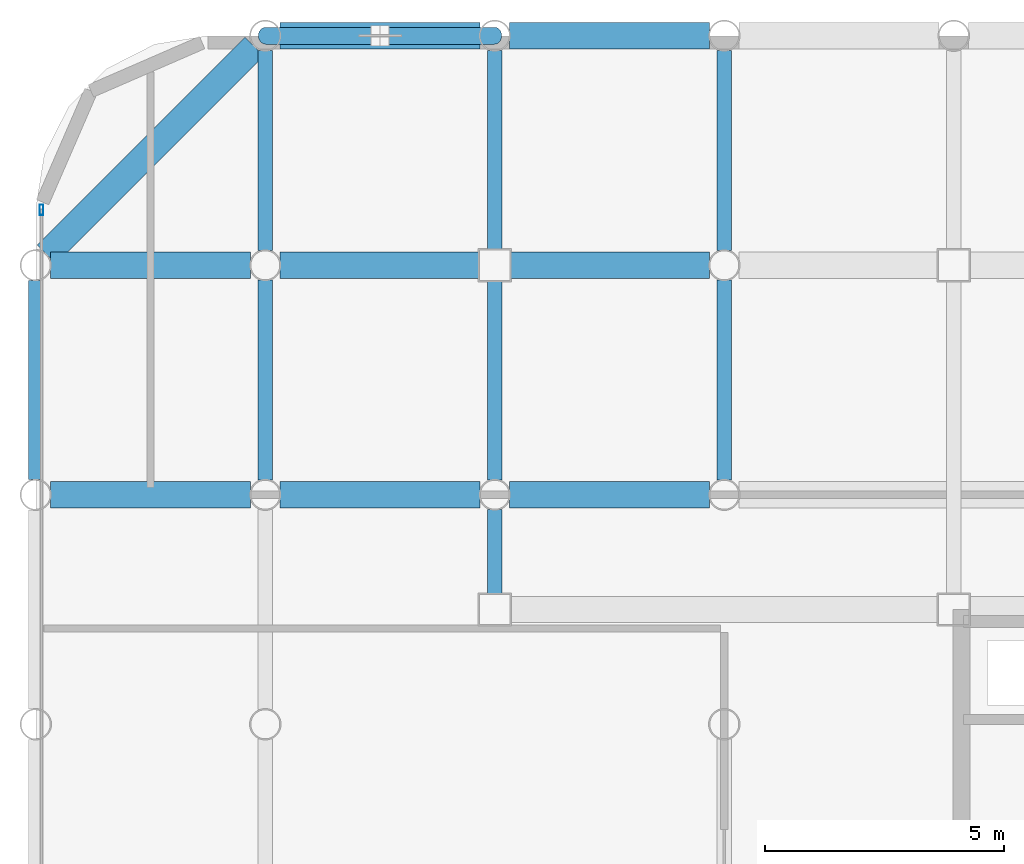
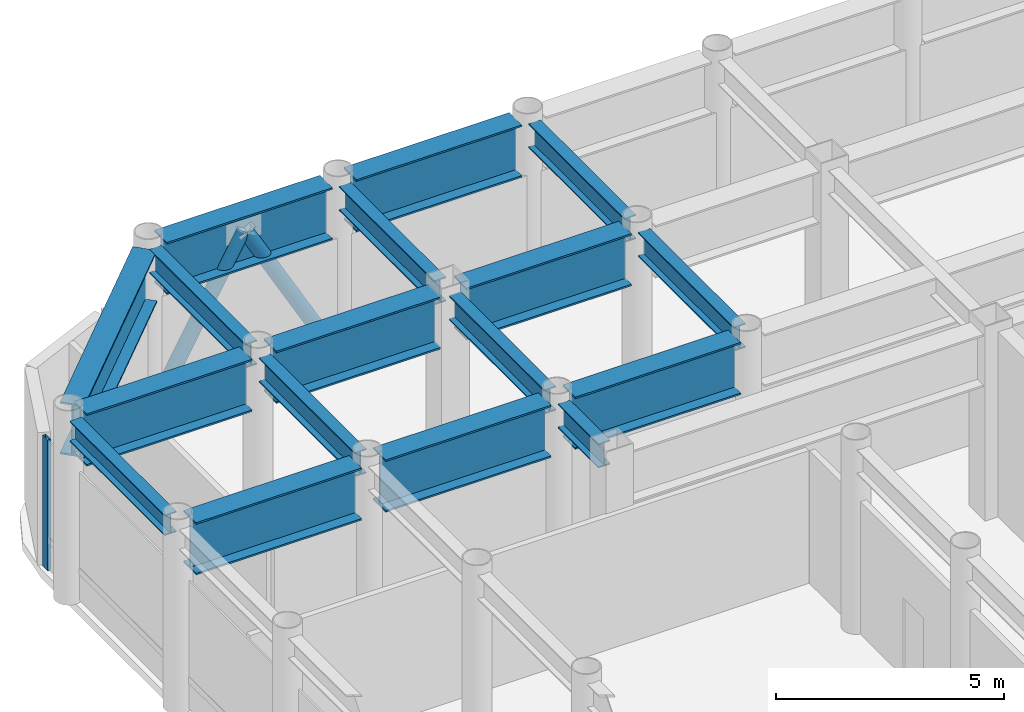
# One storey, part 9 of 20: 17 beams, 3 members, 1 element without a shape of its own.
"""IFC4 building model written with IfcOpenShell, lengths in metres."""

import ifcopenshell
import ifcopenshell.guid

model = None  # the IFC model being written
_history = None  # IfcOwnerHistory: only IFC2X3 demands one
_inside = {}  # id of a spatial element -> (the spatial element, [elements in it])
_under = {}  # id of a project, library or spatial element -> (it, [spatial elements below it])
_declared = {}  # id of a project -> (the project, [libraries it declares])
_typed = {}  # id of a type object -> (the type object, [elements of that type])
_made_of = {}  # id of a material, layer set ... -> (it, [elements and type objects made of it])


def new_model(schema):
    """Start an empty IFC model of exactly this schema.

    Asked for "IFC4X3", IfcOpenShell would pick the latest addendum, in which some entities
    have other attributes; the version numbers below select the first issue.
    IFC2X3 requires an IfcOwnerHistory on every rooted entity: one is made here for all.
    """
    global model, _history
    if schema == "IFC4X3":
        model = ifcopenshell.file(schema_version=(4, 3, 0, 0))
    else:
        model = ifcopenshell.file(schema=schema)
    _inside.clear()
    _under.clear()
    _declared.clear()
    _typed.clear()
    _made_of.clear()
    _history = None
    if model.schema == "IFC2X3":
        org = make("IfcOrganization", Name="unknown")
        user = make(
            "IfcPersonAndOrganization",
            ThePerson=make("IfcPerson", FamilyName="unknown"),
            TheOrganization=org,
        )
        app = make(
            "IfcApplication",
            ApplicationDeveloper=org,
            Version="unknown",
            ApplicationFullName="unknown",
            ApplicationIdentifier="unknown",
        )
        _history = make(
            "IfcOwnerHistory",
            OwningUser=user,
            OwningApplication=app,
            ChangeAction="ADDED",
            CreationDate=0,
        )
    return model


def make(cls, **values):
    """One entity of the class cls with the attributes given. An attribute that is None is left unset."""
    return model.create_entity(
        cls, **{name: value for name, value in values.items() if value is not None}
    )


def rooted(cls, **values):
    """An entity with a GlobalId (a new one), such as an element, a storey or a relation."""
    return make(cls, GlobalId=ifcopenshell.guid.new(), OwnerHistory=_history, **values)


def si_unit(unit_type, name, prefix=None):
    """IfcSIUnit, for example si_unit("LENGTHUNIT", "METRE", prefix="MILLI")."""
    return make("IfcSIUnit", UnitType=unit_type, Prefix=prefix, Name=name)


def assignment(units):
    """IfcUnitAssignment: the units of a project."""
    return None if units is None else make("IfcUnitAssignment", Units=units)


def point(xyz):
    """IfcCartesianPoint."""
    return None if xyz is None else make("IfcCartesianPoint", Coordinates=xyz)


def direction(xyz):
    """IfcDirection."""
    return None if xyz is None else make("IfcDirection", DirectionRatios=xyz)


def frame(location, z_axis=None, x_axis=None):
    """IfcAxis2Placement3D, a coordinate frame: its origin and axes. An axis left out is left unset."""
    return make(
        "IfcAxis2Placement3D",
        Location=point(location),
        Axis=direction(z_axis),
        RefDirection=direction(x_axis),
    )


def frame_2d(location, x_axis=None):
    """IfcAxis2Placement2D, a coordinate frame in the plane: its origin and x axis."""
    return make(
        "IfcAxis2Placement2D", Location=point(location), RefDirection=direction(x_axis)
    )


def origin():
    """The frame at (0, 0, 0) with its axes left unset."""
    return frame((0.0, 0.0, 0.0))


def origin_2d():
    """The frame at (0, 0) in the plane with its x axis left unset."""
    return frame_2d((0.0, 0.0))


def place(relative_to, where):
    """IfcLocalPlacement: puts the frame where relative to a parent placement (None: the world)."""
    return make(
        "IfcLocalPlacement", PlacementRelTo=relative_to, RelativePlacement=where
    )


def context(
    kind, dimensions, precision=None, world=None, true_north=None, identifier=None
):
    """IfcGeometricRepresentationContext, for example the 3D "Model" context."""
    return make(
        "IfcGeometricRepresentationContext",
        ContextIdentifier=identifier,
        ContextType=kind,
        CoordinateSpaceDimension=dimensions,
        Precision=precision,
        WorldCoordinateSystem=world,
        TrueNorth=true_north,
    )


def subcontext(parent, identifier, kind, view, scale=None):
    """IfcGeometricRepresentationSubContext, for example "Body" below "Model"."""
    return make(
        "IfcGeometricRepresentationSubContext",
        ContextIdentifier=identifier,
        ContextType=kind,
        ParentContext=parent,
        TargetScale=scale,
        TargetView=view,
    )


def project(units=None, contexts=None):
    """IfcProject with its units and contexts."""
    return rooted(
        "IfcProject",
        Name="project",
        RepresentationContexts=contexts,
        UnitsInContext=assignment(units),
    )


def spatial(cls, under=None, at=None, **own):
    """A site, building, storey or space (cls), placed at a placement, below another one or the project."""
    s = rooted(cls, ObjectPlacement=at, **own)
    if under is not None:
        _under.setdefault(under.id(), (under, []))[1].append(s)
    return s


def profile(cls, at=None, kind="AREA", **sizes):
    """A parametric profile (cls). Its sizes go by their IFC names, for example OverallWidth=200.0."""
    return make(cls, ProfileType=kind, Position=at, **sizes)


def hollow_rectangle(**sizes):
    """IfcRectangleHollowProfileDef."""
    return profile("IfcRectangleHollowProfileDef", **sizes)


def hollow_circle(**sizes):
    """IfcCircleHollowProfileDef."""
    return profile("IfcCircleHollowProfileDef", **sizes)


def i_section(**sizes):
    """IfcIShapeProfileDef."""
    return profile("IfcIShapeProfileDef", **sizes)


def extrude(swept, where, along, depth):
    """IfcExtrudedAreaSolid: the profile swept, set in the frame where, extruded along a direction by depth."""
    return make(
        "IfcExtrudedAreaSolid",
        SweptArea=swept,
        Position=where,
        ExtrudedDirection=direction(along),
        Depth=depth,
    )


def shape(context_of_items, identifier, shape_type, items):
    """IfcShapeRepresentation: the items that make up one representation, for example the "Body"."""
    return make(
        "IfcShapeRepresentation",
        ContextOfItems=context_of_items,
        RepresentationIdentifier=identifier,
        RepresentationType=shape_type,
        Items=items,
    )


def material(Name=None, Category=None):
    """IfcMaterial."""
    return make("IfcMaterial", Name=Name, Category=Category)


def layer(
    of_material, thickness, ventilated=None, Name=None, Category=None, Priority=None
):
    """IfcMaterialLayer: one layer of a wall or slab, of a material (None: an air gap)."""
    return make(
        "IfcMaterialLayer",
        Material=of_material,
        LayerThickness=thickness,
        IsVentilated=ventilated,
        Name=Name,
        Category=Category,
        Priority=Priority,
    )


def layer_set(layers, Name=None):
    """IfcMaterialLayerSet."""
    return make("IfcMaterialLayerSet", MaterialLayers=layers, LayerSetName=Name)


def material_profile(
    of_material, cross_section, Name=None, Category=None, Priority=None
):
    """IfcMaterialProfile: a cross section and its material."""
    return make(
        "IfcMaterialProfile",
        Name=Name,
        Material=of_material,
        Profile=cross_section,
        Priority=Priority,
        Category=Category,
    )


def profile_set(profiles, Name=None, composite=None):
    """IfcMaterialProfileSet."""
    return make(
        "IfcMaterialProfileSet",
        Name=Name,
        MaterialProfiles=profiles,
        CompositeProfile=composite,
    )


def made_of(thing, what):
    """Note that an element or type object is made of a material, layer set ...; save() writes the relation."""
    if what is not None:
        _made_of.setdefault(what.id(), (what, []))[1].append(thing)
    return thing


def type_object(cls, material=None, **own):
    """A type object (cls), such as IfcWallType, which elements share."""
    return made_of(rooted(cls, **own), material)


def element(
    cls,
    number,
    at=None,
    inside=None,
    cuts=None,
    type_object=None,
    material=None,
    context=None,
    identifier="Body",
    shape_type=None,
    held_by="IfcProductDefinitionShape",
    body=None,
    shapes=None,
    **own,
):
    """One element of the class cls, such as IfcWall. Its Tag is "e" and its number.

    at: its placement. inside: the storey or other place that contains it. cuts: it is an
    opening in that element (IfcRelVoidsElement). A single representation is given by context,
    identifier, shape_type and body (its items); several are given by shapes. held_by: the class
    of the entity that holds the representations. save() writes the other relations.
    """
    e = rooted(cls, Tag="e%d" % number, ObjectPlacement=at, **own)
    if body is not None:
        shapes = [shape(context, identifier, shape_type, body)]
    if shapes is not None:
        e.Representation = make(held_by, Representations=shapes)
    if inside is not None:
        _inside.setdefault(inside.id(), (inside, []))[1].append(e)
    if cuts is not None:
        rooted(
            "IfcRelVoidsElement", RelatingBuildingElement=cuts, RelatedOpeningElement=e
        )
    if type_object is not None:
        _typed.setdefault(type_object.id(), (type_object, []))[1].append(e)
    return made_of(e, material)


def aggregate(whole, parts):
    """IfcRelAggregates: a whole, such as a stair, and the parts it consists of."""
    return rooted("IfcRelAggregates", RelatingObject=whole, RelatedObjects=parts)


def save(model, path):
    """Write the relations noted so far, then the file.

    IfcRelAggregates (storeys below a building ...), IfcRelContainedInSpatialStructure (elements
    in a storey), IfcRelDefinesByType, IfcRelAssociatesMaterial and IfcRelDeclares: one each for
    every whole, place, type object, material and project.
    """
    for whole, parts in _under.values():
        aggregate(whole, parts)
    for where, things in _inside.values():
        rooted(
            "IfcRelContainedInSpatialStructure",
            RelatedElements=things,
            RelatingStructure=where,
        )
    for kind, things in _typed.values():
        rooted("IfcRelDefinesByType", RelatedObjects=things, RelatingType=kind)
    for what, things in _made_of.values():
        rooted("IfcRelAssociatesMaterial", RelatedObjects=things, RelatingMaterial=what)
    for by, libraries in _declared.values():
        rooted("IfcRelDeclares", RelatingContext=by, RelatedDefinitions=libraries)
    model.write(path)


model = new_model("IFC4")

# Units and contexts
model_context = context("Model", 3, precision=1e-05, world=origin(), true_north=direction((0.0, 1.0)))
body_context = subcontext(model_context, "Body", "Model", "MODEL_VIEW")
ifc_project = project(units=[si_unit("LENGTHUNIT", "METRE"), si_unit("AREAUNIT", "SQUARE_METRE"), si_unit("VOLUMEUNIT", "CUBIC_METRE"), si_unit("PLANEANGLEUNIT", "RADIAN"), si_unit("MASSUNIT", "GRAM", prefix="KILO")], contexts=[model_context])

# Site, building, storey
site_placement = place(None, origin())
site = spatial("IfcSite", under=ifc_project, at=site_placement, CompositionType="ELEMENT")
building_placement = place(site_placement, origin())
building = spatial("IfcBuilding", under=site, at=building_placement, Name="Kallvorn Hotel Tower", CompositionType="ELEMENT")
storey_placement = place(building_placement, frame((0.0, 0.0, 180.300048828125)))
storey = spatial("IfcBuildingStorey", under=building, at=storey_placement, Name="L45", CompositionType="ELEMENT", Elevation=180.300048828125)

# Beams
ifc_material_1 = material(Name="Structural steel S355JR", Category="steel")
ifc_material_profile_1 = material_profile(ifc_material_1, i_section(OverallWidth=0.300048828125, OverallDepth=0.550048828125, WebThickness=0.014892578125, FlangeThickness=0.029052734375, at=origin_2d()), Name="HE 550 B")
ifc_profile_set_1 = profile_set([ifc_material_profile_1], Name="Structural steel S355JR")
beam_type_1 = type_object("IfcBeamType", Name="BM_HE550B", PredefinedType="SPANDREL", material=ifc_profile_set_1)
beam_1_placement = place(storey_placement, frame((-33.60009765625, 9.919921875, 4.675048828125), z_axis=(0.0, 1.0, 0.0), x_axis=(-1.0, 0.0, 0.0)))
element("IfcBeam", 1, at=beam_1_placement, inside=storey, type_object=beam_type_1, Name="L46 Perimeter Spandrel 180", PredefinedType="SPANDREL", context=body_context, shape_type="SweptSolid", body=[
    extrude(i_section(OverallWidth=0.300048828125, OverallDepth=0.550048828125, WebThickness=0.014892578125, FlangeThickness=0.029052734375, at=origin_2d()), origin(), (0.0, 0.0, 1.0), 4.16015625),
])
ifc_material_2 = material(Name="Structural steel S355JR", Category="steel")
ifc_material_profile_2 = material_profile(ifc_material_2, i_section(OverallWidth=0.300048828125, OverallDepth=0.64990234375, WebThickness=0.01611328125, FlangeThickness=0.031005859375, at=origin_2d()), Name="HE 650 B")
ifc_profile_set_2 = profile_set([ifc_material_profile_2], Name="Structural steel S355JR")
beam_type_2 = type_object("IfcBeamType", Name="BM_HE650B", PredefinedType="BEAM", material=ifc_profile_set_2)
for number, where, z_axis, x_axis, name in (
    (2, (-28.800048828125, 9.905029296875, 4.625), (0.0, 1.0, 0.0), (-1.0, 0.0, 0.0), "L46 Primary Y-Girder 80"),
    (3, (-28.800048828125, 14.705078125, 4.625), (0.0, 1.0, 0.0), (-1.0, 0.0, 0.0), "L46 Primary Y-Girder 81"),
):
    element("IfcBeam", number, at=place(storey_placement, frame(where, z_axis=z_axis, x_axis=x_axis)), inside=storey, type_object=beam_type_2, Name=name, PredefinedType="BEAM", context=body_context, shape_type="SweptSolid", body=[
        extrude(i_section(OverallWidth=0.300048828125, OverallDepth=0.64990234375, WebThickness=0.01611328125, FlangeThickness=0.031005859375, at=origin_2d()), origin(), (0.0, 0.0, 1.0), 4.18994140625),
    ])
beam_2_placement = place(storey_placement, frame((-24.0, 7.52490234375, 4.625), z_axis=(0.0, 1.0, 0.0), x_axis=(-1.0, 0.0, 0.0)))
element("IfcBeam", 4, at=beam_2_placement, inside=storey, type_object=beam_type_2, Name="L46 Primary Y-Girder 86", PredefinedType="BEAM", context=body_context, shape_type="SweptSolid", body=[
    extrude(i_section(OverallWidth=0.300048828125, OverallDepth=0.64990234375, WebThickness=0.01611328125, FlangeThickness=0.031005859375, at=origin_2d()), origin(), (0.0, 0.0, 1.0), 1.77001953125),
])
for number, where, z_axis, x_axis, name in (
    (5, (-24.0, 9.905029296875, 4.625), (0.0, 1.0, 0.0), (-1.0, 0.0, 0.0), "L46 Primary Y-Girder 87"),
    (6, (-24.0, 14.72509765625, 4.625), (0.0, 1.0, 0.0), (-1.0, 0.0, 0.0), "L46 Primary Y-Girder 88"),
):
    element("IfcBeam", number, at=place(storey_placement, frame(where, z_axis=z_axis, x_axis=x_axis)), inside=storey, type_object=beam_type_2, Name=name, PredefinedType="BEAM", context=body_context, shape_type="SweptSolid", body=[
        extrude(i_section(OverallWidth=0.300048828125, OverallDepth=0.64990234375, WebThickness=0.01611328125, FlangeThickness=0.031005859375, at=origin_2d()), origin(), (0.0, 0.0, 1.0), 4.169921875),
    ])
for number, where, z_axis, x_axis, name in (
    (7, (-19.199951171875, 9.905029296875, 4.625), (0.0, 1.0, 0.0), (-1.0, 0.0, 0.0), "L46 Primary Y-Girder 96"),
    (8, (-19.199951171875, 14.705078125, 4.625), (0.0, 1.0, 0.0), (-1.0, 0.0, 0.0), "L46 Primary Y-Girder 97"),
):
    element("IfcBeam", number, at=place(storey_placement, frame(where, z_axis=z_axis, x_axis=x_axis)), inside=storey, type_object=beam_type_2, Name=name, PredefinedType="BEAM", context=body_context, shape_type="SweptSolid", body=[
        extrude(i_section(OverallWidth=0.300048828125, OverallDepth=0.64990234375, WebThickness=0.01611328125, FlangeThickness=0.031005859375, at=origin_2d()), origin(), (0.0, 0.0, 1.0), 4.18994140625),
    ])
ifc_material_3 = material(Name="Structural steel S355JR", Category="steel")
ifc_material_profile_3 = material_profile(ifc_material_3, i_section(OverallWidth=0.550048828125, OverallDepth=1.39990234375, WebThickness=0.02490234375, FlangeThickness=0.044921875, at=origin_2d()), Name="PG 1400x550x25x45")
ifc_profile_set_3 = profile_set([ifc_material_profile_3], Name="Structural steel S355JR")
beam_type_3 = type_object("IfcBeamType", Name="BM_PG_1400", PredefinedType="BEAM", material=ifc_profile_set_3)
beam_3_placement = place(storey_placement, frame((-33.294921875, 9.60009765625, 4.25), z_axis=(1.0, 0.0, 0.0), x_axis=(0.0, 1.0, 0.0)))
element("IfcBeam", 9, at=beam_3_placement, inside=storey, type_object=beam_type_3, Name="L46 Primary X-Girder 42", PredefinedType="BEAM", context=body_context, shape_type="SweptSolid", body=[
    extrude(i_section(OverallWidth=0.550048828125, OverallDepth=1.39990234375, WebThickness=0.02490234375, FlangeThickness=0.044921875, at=origin_2d()), origin(), (0.0, 0.0, 1.0), 4.18994140625),
])
for number, where, z_axis, x_axis, name in (
    (10, (-28.4951171875, 9.60009765625, 4.25), (1.0, 0.0, 0.0), (0.0, 1.0, 0.0), "L46 Primary X-Girder 43"),
    (11, (-23.695068359375, 9.60009765625, 4.25), (1.0, 0.0, 0.0), (0.0, 1.0, 0.0), "L46 Primary X-Girder 44"),
):
    element("IfcBeam", number, at=place(storey_placement, frame(where, z_axis=z_axis, x_axis=x_axis)), inside=storey, type_object=beam_type_3, Name=name, PredefinedType="BEAM", context=body_context, shape_type="SweptSolid", body=[
        extrude(i_section(OverallWidth=0.550048828125, OverallDepth=1.39990234375, WebThickness=0.02490234375, FlangeThickness=0.044921875, at=origin_2d()), origin(), (0.0, 0.0, 1.0), 4.190185546875),
    ])
beam_4_placement = place(storey_placement, frame((-33.294921875, 14.39990234375, 4.25), z_axis=(1.0, 0.0, 0.0), x_axis=(0.0, 1.0, 0.0)))
element("IfcBeam", 12, at=beam_4_placement, inside=storey, type_object=beam_type_3, Name="L46 Primary X-Girder 51", PredefinedType="BEAM", context=body_context, shape_type="SweptSolid", body=[
    extrude(i_section(OverallWidth=0.550048828125, OverallDepth=1.39990234375, WebThickness=0.02490234375, FlangeThickness=0.044921875, at=origin_2d()), origin(), (0.0, 0.0, 1.0), 4.18994140625),
])
for number, where, z_axis, x_axis, name in (
    (13, (-28.4951171875, 14.39990234375, 4.25), (1.0, 0.0, 0.0), (0.0, 1.0, 0.0), "L46 Primary X-Girder 52"),
    (14, (-23.675048828125, 14.39990234375, 4.25), (1.0, 0.0, 0.0), (0.0, 1.0, 0.0), "L46 Primary X-Girder 53"),
):
    element("IfcBeam", number, at=place(storey_placement, frame(where, z_axis=z_axis, x_axis=x_axis)), inside=storey, type_object=beam_type_3, Name=name, PredefinedType="BEAM", context=body_context, shape_type="SweptSolid", body=[
        extrude(i_section(OverallWidth=0.550048828125, OverallDepth=1.39990234375, WebThickness=0.02490234375, FlangeThickness=0.044921875, at=origin_2d()), origin(), (0.0, 0.0, 1.0), 4.170166015625),
    ])
for number, where, z_axis, x_axis, name in (
    (15, (-28.4951171875, 19.199951171875, 4.25), (1.0, 0.0, 0.0), (0.0, 1.0, 0.0), "L46 Primary X-Girder 61"),
    (16, (-23.695068359375, 19.199951171875, 4.25), (1.0, 0.0, 0.0), (0.0, 1.0, 0.0), "L46 Primary X-Girder 62"),
):
    element("IfcBeam", number, at=place(storey_placement, frame(where, z_axis=z_axis, x_axis=x_axis)), inside=storey, type_object=beam_type_3, Name=name, PredefinedType="BEAM", context=body_context, shape_type="SweptSolid", body=[
        extrude(i_section(OverallWidth=0.550048828125, OverallDepth=1.39990234375, WebThickness=0.02490234375, FlangeThickness=0.044921875, at=origin_2d()), origin(), (0.0, 0.0, 1.0), 4.190185546875),
    ])
beam_5_placement = place(storey_placement, frame((-33.373779296875, 14.626220703125, 4.25), z_axis=(0.707106781187, 0.707106781187, 0.0), x_axis=(-0.707106781187, 0.707106781187, 0.0)))
element("IfcBeam", 17, at=beam_5_placement, inside=storey, type_object=beam_type_3, Name="L46 Rounded Corner Tie Beam 190", PredefinedType="BEAM", context=body_context, shape_type="SweptSolid", body=[
    extrude(i_section(OverallWidth=0.550048828125, OverallDepth=1.39990234375, WebThickness=0.02490234375, FlangeThickness=0.044921875, at=origin_2d()), origin(), (0.0, 0.0, 1.0), 6.148193359375),
])

# Curtain wall, member
ifc_material_4 = material(Name="Thermally broken black-anodised aluminium AA 6063-T6", Category="aluminium")
ifc_layer = layer(ifc_material_4, 0.22998046875)
ifc_layer_set = layer_set([ifc_layer], Name="CW_SYS_5_HOTEL_HIGH")
curtain_wall_type = type_object("IfcCurtainWallType", Name="CW_SYS_5_HOTEL_HIGH", PredefinedType="USERDEFINED", material=ifc_layer_set)
curtain_wall_placement = place(storey_placement, origin())
curtain_wall = element("IfcCurtainWall", 18, at=curtain_wall_placement, inside=storey, type_object=curtain_wall_type, Name="L45 Dark-Glass Curtain Wall CW-L45-WN", ObjectType="UNITISED CURTAIN WALL", PredefinedType="USERDEFINED")
ifc_material_5 = material(Name="Thermally broken black-anodised aluminium AA 6063-T6", Category="aluminium")
ifc_material_profile_4 = material_profile(ifc_material_5, hollow_rectangle(XDim=0.080078125, YDim=0.219970703125, WallThickness=0.0048828125, at=origin_2d()), Name="MUL 220x80")
ifc_profile_set_4 = profile_set([ifc_material_profile_4], Name="Thermally broken black-anodised aluminium AA 6063-T6")
member_type_1 = type_object("IfcMemberType", Name="CW_MULLION_220x80", PredefinedType="MULLION", material=ifc_profile_set_4)
member_placement = place(storey_placement, frame((-33.47998046875, 15.56005859375, 0.02001953125), z_axis=(0.0, 0.0, 1.0), x_axis=(1.0, 0.0, 0.0)))
member = element("IfcMember", 19, at=member_placement, type_object=member_type_1, Name="CW-L45-WN Mullion 01", PredefinedType="MULLION", context=body_context, shape_type="SweptSolid", body=[
    extrude(hollow_rectangle(XDim=0.080078125, YDim=0.219970703125, WallThickness=0.0048828125, at=origin_2d()), origin(), (0.0, 0.0, 1.0), 3.510009765625),
])
aggregate(curtain_wall, [member])

# Members
ifc_material_6 = material(Name="Structural steel S355J2H", Category="steel")
ifc_material_profile_5 = material_profile(ifc_material_6, hollow_circle(Radius=0.177734375, WallThickness=0.01416015625, at=origin_2d()), Name="CHS 355.6x14.2")
ifc_profile_set_5 = profile_set([ifc_material_profile_5], Name="Structural steel S355J2H")
member_type_2 = type_object("IfcMemberType", Name="MBR_EXO_CHS355", PredefinedType="BRACE", material=ifc_profile_set_5)
for number, where, z_axis, x_axis, name in (
    (20, (-28.790283203125, 19.199951171875, 0.197265625), (0.490827587651, 0.0, 0.871256724049), (0.0, 1.0, 0.0), "L45 Exoskeleton K-Brace N1A"),
    (21, (-24.009765625, 19.199951171875, 0.197265625), (-0.490827587651, 0.0, 0.871256724049), (0.0, -1.0, 0.0), "L45 Exoskeleton K-Brace N1B"),
):
    element("IfcMember", number, at=place(storey_placement, frame(where, z_axis=z_axis, x_axis=x_axis)), inside=storey, type_object=member_type_2, Name=name, PredefinedType="BRACE", context=body_context, shape_type="SweptSolid", body=[
        extrude(hollow_circle(Radius=0.177734375, WallThickness=0.01416015625, at=origin_2d()), origin(), (0.0, 0.0, 1.0), 4.849609375),
    ])

save(model, "model.ifc")
